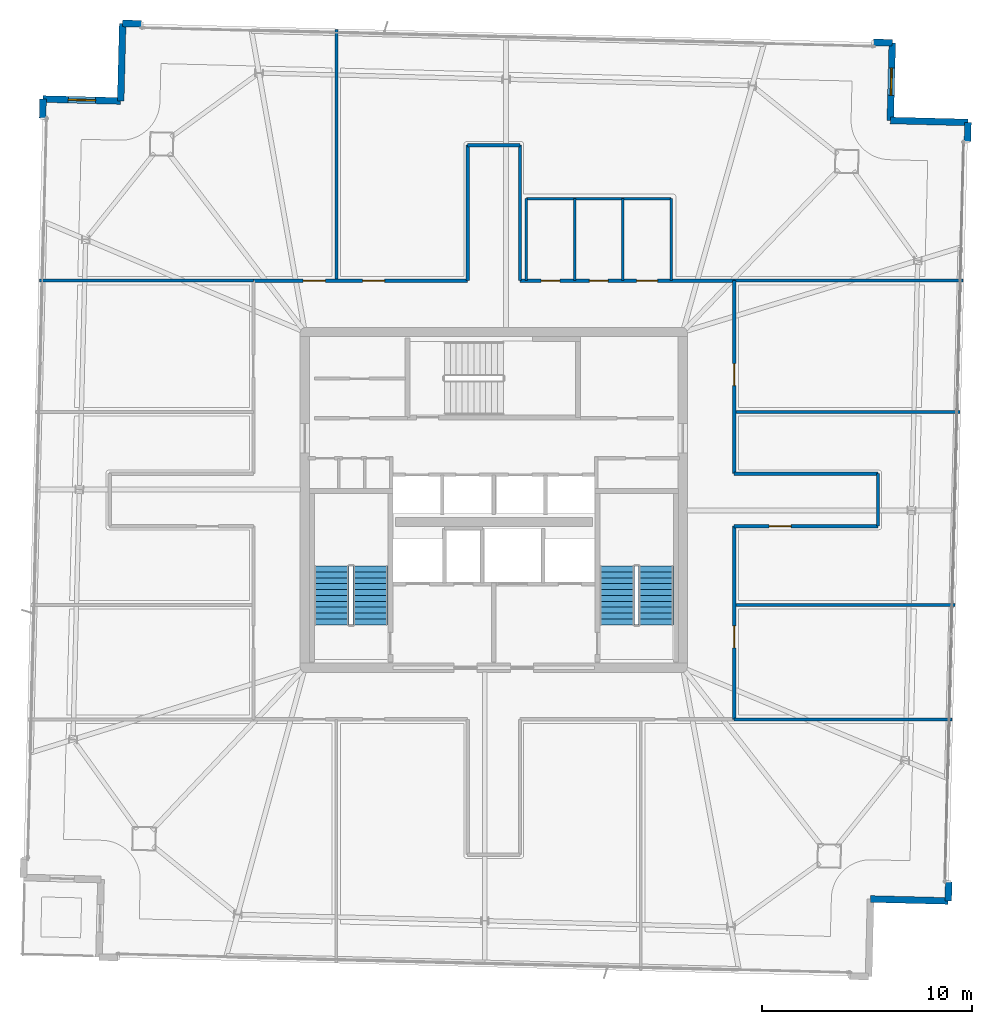
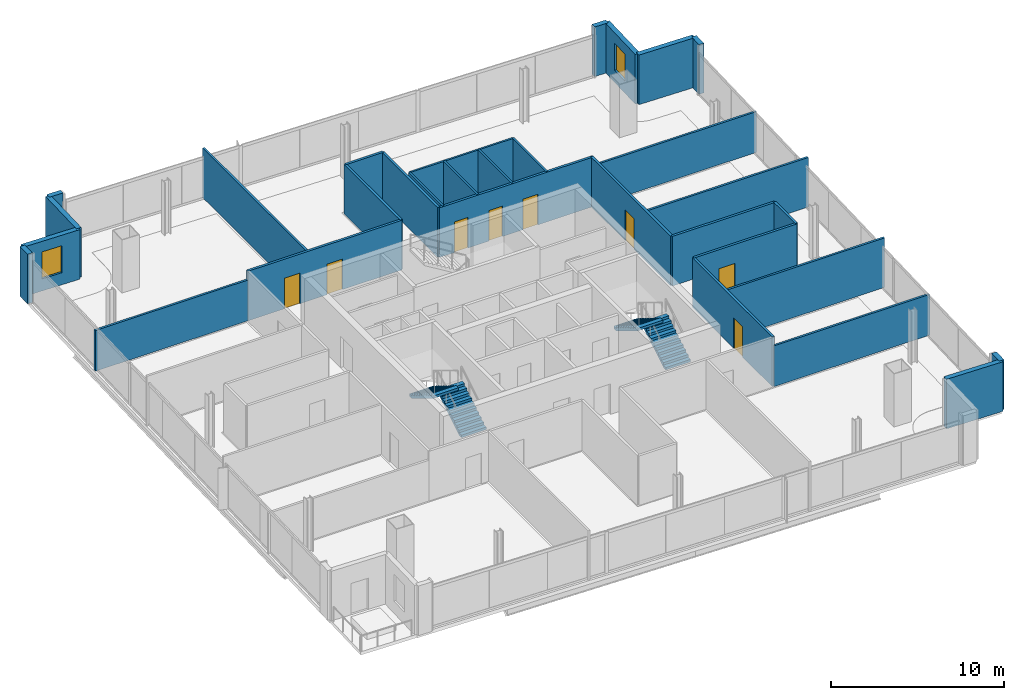
# One storey, part 21 of 25: 31 walls, 8 doors, 4 stair flights, 2 windows, 10 openings, 2 elements without a shape of their own.
"""IFC4 building model written with IfcOpenShell, lengths in metres."""

import ifcopenshell
import ifcopenshell.guid

model = None  # the IFC model being written
_history = None  # IfcOwnerHistory: only IFC2X3 demands one
_inside = {}  # id of a spatial element -> (the spatial element, [elements in it])
_under = {}  # id of a project, library or spatial element -> (it, [spatial elements below it])
_declared = {}  # id of a project -> (the project, [libraries it declares])
_typed = {}  # id of a type object -> (the type object, [elements of that type])
_made_of = {}  # id of a material, layer set ... -> (it, [elements and type objects made of it])


def new_model(schema):
    """Start an empty IFC model of exactly this schema.

    Asked for "IFC4X3", IfcOpenShell would pick the latest addendum, in which some entities
    have other attributes; the version numbers below select the first issue.
    IFC2X3 requires an IfcOwnerHistory on every rooted entity: one is made here for all.
    """
    global model, _history
    if schema == "IFC4X3":
        model = ifcopenshell.file(schema_version=(4, 3, 0, 0))
    else:
        model = ifcopenshell.file(schema=schema)
    _inside.clear()
    _under.clear()
    _declared.clear()
    _typed.clear()
    _made_of.clear()
    _history = None
    if model.schema == "IFC2X3":
        org = make("IfcOrganization", Name="unknown")
        user = make(
            "IfcPersonAndOrganization",
            ThePerson=make("IfcPerson", FamilyName="unknown"),
            TheOrganization=org,
        )
        app = make(
            "IfcApplication",
            ApplicationDeveloper=org,
            Version="unknown",
            ApplicationFullName="unknown",
            ApplicationIdentifier="unknown",
        )
        _history = make(
            "IfcOwnerHistory",
            OwningUser=user,
            OwningApplication=app,
            ChangeAction="ADDED",
            CreationDate=0,
        )
    return model


def make(cls, **values):
    """One entity of the class cls with the attributes given. An attribute that is None is left unset."""
    return model.create_entity(
        cls, **{name: value for name, value in values.items() if value is not None}
    )


def rooted(cls, **values):
    """An entity with a GlobalId (a new one), such as an element, a storey or a relation."""
    return make(cls, GlobalId=ifcopenshell.guid.new(), OwnerHistory=_history, **values)


def si_unit(unit_type, name, prefix=None):
    """IfcSIUnit, for example si_unit("LENGTHUNIT", "METRE", prefix="MILLI")."""
    return make("IfcSIUnit", UnitType=unit_type, Prefix=prefix, Name=name)


def assignment(units):
    """IfcUnitAssignment: the units of a project."""
    return None if units is None else make("IfcUnitAssignment", Units=units)


def point(xyz):
    """IfcCartesianPoint."""
    return None if xyz is None else make("IfcCartesianPoint", Coordinates=xyz)


def direction(xyz):
    """IfcDirection."""
    return None if xyz is None else make("IfcDirection", DirectionRatios=xyz)


def frame(location, z_axis=None, x_axis=None):
    """IfcAxis2Placement3D, a coordinate frame: its origin and axes. An axis left out is left unset."""
    return make(
        "IfcAxis2Placement3D",
        Location=point(location),
        Axis=direction(z_axis),
        RefDirection=direction(x_axis),
    )


def frame_2d(location, x_axis=None):
    """IfcAxis2Placement2D, a coordinate frame in the plane: its origin and x axis."""
    return make(
        "IfcAxis2Placement2D", Location=point(location), RefDirection=direction(x_axis)
    )


def origin():
    """The frame at (0, 0, 0) with its axes left unset."""
    return frame((0.0, 0.0, 0.0))


def place(relative_to, where):
    """IfcLocalPlacement: puts the frame where relative to a parent placement (None: the world)."""
    return make(
        "IfcLocalPlacement", PlacementRelTo=relative_to, RelativePlacement=where
    )


def context(
    kind, dimensions, precision=None, world=None, true_north=None, identifier=None
):
    """IfcGeometricRepresentationContext, for example the 3D "Model" context."""
    return make(
        "IfcGeometricRepresentationContext",
        ContextIdentifier=identifier,
        ContextType=kind,
        CoordinateSpaceDimension=dimensions,
        Precision=precision,
        WorldCoordinateSystem=world,
        TrueNorth=true_north,
    )


def subcontext(parent, identifier, kind, view, scale=None):
    """IfcGeometricRepresentationSubContext, for example "Body" below "Model"."""
    return make(
        "IfcGeometricRepresentationSubContext",
        ContextIdentifier=identifier,
        ContextType=kind,
        ParentContext=parent,
        TargetScale=scale,
        TargetView=view,
    )


def project(units=None, contexts=None):
    """IfcProject with its units and contexts."""
    return rooted(
        "IfcProject",
        Name="project",
        RepresentationContexts=contexts,
        UnitsInContext=assignment(units),
    )


def spatial(cls, under=None, at=None, **own):
    """A site, building, storey or space (cls), placed at a placement, below another one or the project."""
    s = rooted(cls, ObjectPlacement=at, **own)
    if under is not None:
        _under.setdefault(under.id(), (under, []))[1].append(s)
    return s


def polyline(points):
    """IfcPolyline through the points."""
    return make("IfcPolyline", Points=[point(p) for p in points])


def profile(cls, at=None, kind="AREA", **sizes):
    """A parametric profile (cls). Its sizes go by their IFC names, for example OverallWidth=200.0."""
    return make(cls, ProfileType=kind, Position=at, **sizes)


def rectangle(**sizes):
    """IfcRectangleProfileDef."""
    return profile("IfcRectangleProfileDef", **sizes)


def outline(outer, holes=None, kind="AREA"):
    """IfcArbitraryClosedProfileDef: a profile drawn as a closed curve; with holes, ...WithVoids."""
    if holes is None:
        return make("IfcArbitraryClosedProfileDef", ProfileType=kind, OuterCurve=outer)
    return make(
        "IfcArbitraryProfileDefWithVoids",
        ProfileType=kind,
        OuterCurve=outer,
        InnerCurves=holes,
    )


def extrude(swept, where, along, depth):
    """IfcExtrudedAreaSolid: the profile swept, set in the frame where, extruded along a direction by depth."""
    return make(
        "IfcExtrudedAreaSolid",
        SweptArea=swept,
        Position=where,
        ExtrudedDirection=direction(along),
        Depth=depth,
    )


def shape(context_of_items, identifier, shape_type, items):
    """IfcShapeRepresentation: the items that make up one representation, for example the "Body"."""
    return make(
        "IfcShapeRepresentation",
        ContextOfItems=context_of_items,
        RepresentationIdentifier=identifier,
        RepresentationType=shape_type,
        Items=items,
    )


def material(Name=None, Category=None):
    """IfcMaterial."""
    return make("IfcMaterial", Name=Name, Category=Category)


def layer(
    of_material, thickness, ventilated=None, Name=None, Category=None, Priority=None
):
    """IfcMaterialLayer: one layer of a wall or slab, of a material (None: an air gap)."""
    return make(
        "IfcMaterialLayer",
        Material=of_material,
        LayerThickness=thickness,
        IsVentilated=ventilated,
        Name=Name,
        Category=Category,
        Priority=Priority,
    )


def layer_set(layers, Name=None):
    """IfcMaterialLayerSet."""
    return make("IfcMaterialLayerSet", MaterialLayers=layers, LayerSetName=Name)


def made_of(thing, what):
    """Note that an element or type object is made of a material, layer set ...; save() writes the relation."""
    if what is not None:
        _made_of.setdefault(what.id(), (what, []))[1].append(thing)
    return thing


def type_object(cls, material=None, **own):
    """A type object (cls), such as IfcWallType, which elements share."""
    return made_of(rooted(cls, **own), material)


def element(
    cls,
    number,
    at=None,
    inside=None,
    cuts=None,
    type_object=None,
    material=None,
    context=None,
    identifier="Body",
    shape_type=None,
    held_by="IfcProductDefinitionShape",
    body=None,
    shapes=None,
    **own,
):
    """One element of the class cls, such as IfcWall. Its Tag is "e" and its number.

    at: its placement. inside: the storey or other place that contains it. cuts: it is an
    opening in that element (IfcRelVoidsElement). A single representation is given by context,
    identifier, shape_type and body (its items); several are given by shapes. held_by: the class
    of the entity that holds the representations. save() writes the other relations.
    """
    e = rooted(cls, Tag="e%d" % number, ObjectPlacement=at, **own)
    if body is not None:
        shapes = [shape(context, identifier, shape_type, body)]
    if shapes is not None:
        e.Representation = make(held_by, Representations=shapes)
    if inside is not None:
        _inside.setdefault(inside.id(), (inside, []))[1].append(e)
    if cuts is not None:
        rooted(
            "IfcRelVoidsElement", RelatingBuildingElement=cuts, RelatedOpeningElement=e
        )
    if type_object is not None:
        _typed.setdefault(type_object.id(), (type_object, []))[1].append(e)
    return made_of(e, material)


def fill(opening, filler):
    """IfcRelFillsElement: the door or window that sits in an opening."""
    return rooted(
        "IfcRelFillsElement",
        RelatingOpeningElement=opening,
        RelatedBuildingElement=filler,
    )


def aggregate(whole, parts):
    """IfcRelAggregates: a whole, such as a stair, and the parts it consists of."""
    return rooted("IfcRelAggregates", RelatingObject=whole, RelatedObjects=parts)


def save(model, path):
    """Write the relations noted so far, then the file.

    IfcRelAggregates (storeys below a building ...), IfcRelContainedInSpatialStructure (elements
    in a storey), IfcRelDefinesByType, IfcRelAssociatesMaterial and IfcRelDeclares: one each for
    every whole, place, type object, material and project.
    """
    for whole, parts in _under.values():
        aggregate(whole, parts)
    for where, things in _inside.values():
        rooted(
            "IfcRelContainedInSpatialStructure",
            RelatedElements=things,
            RelatingStructure=where,
        )
    for kind, things in _typed.values():
        rooted("IfcRelDefinesByType", RelatedObjects=things, RelatingType=kind)
    for what, things in _made_of.values():
        rooted("IfcRelAssociatesMaterial", RelatedObjects=things, RelatingMaterial=what)
    for by, libraries in _declared.values():
        rooted("IfcRelDeclares", RelatingContext=by, RelatedDefinitions=libraries)
    model.write(path)


model = new_model("IFC4")

# Units and contexts
model_context = context("Model", 3, precision=1e-05, world=origin(), true_north=direction((0.0, 1.0)))
body_context = subcontext(model_context, "Body", "Model", "MODEL_VIEW")
ifc_project = project(units=[si_unit("LENGTHUNIT", "METRE"), si_unit("AREAUNIT", "SQUARE_METRE"), si_unit("VOLUMEUNIT", "CUBIC_METRE"), si_unit("PLANEANGLEUNIT", "RADIAN"), si_unit("MASSUNIT", "GRAM", prefix="KILO")], contexts=[model_context])

# Site, building, storey
site_placement = place(None, origin())
site = spatial("IfcSite", under=ifc_project, at=site_placement, CompositionType="ELEMENT")
building_placement = place(site_placement, origin())
building = spatial("IfcBuilding", under=site, at=building_placement, Name="Haldenkirk Collegiate Tower", CompositionType="ELEMENT")
storey_placement = place(building_placement, frame((0.0, 0.0, 325.199951171875)))
storey = spatial("IfcBuildingStorey", under=building, at=storey_placement, Name="L82", CompositionType="ELEMENT", Elevation=325.199951171875)

# Walls
ifc_material_1 = material(Name="Precast concrete f'c 40 MPa", Category="concrete")
ifc_layer_1 = layer(ifc_material_1, 0.320068359375)
ifc_layer_set_1 = layer_set([ifc_layer_1], Name="Precast concrete f'c 40 MPa")
wall_type_1 = type_object("IfcWallType", Name="WL-EXT-TWR-320", PredefinedType="STANDARD", material=ifc_layer_set_1)
wall_1_placement = place(storey_placement, frame((58.58740234375, 43.984130859375, 0.0), z_axis=(0.0, 0.0, 1.0), x_axis=(-0.025500524294, -0.999674808756, 0.0)))
element("IfcWall", 1, at=wall_1_placement, inside=storey, type_object=wall_type_1, Name="L82 precast corner pier SL", PredefinedType="STANDARD", context=body_context, shape_type="SweptSolid", body=[
    extrude(rectangle(XDim=0.89990234375, YDim=0.320068359375, at=frame_2d((0.449951171875, 0.0))), origin(), (0.0, 0.0, 1.0), 3.489990234375),
])
wall_2_placement = place(storey_placement, frame((57.67138671875, 7.7958984375, 0.0), z_axis=(0.0, 0.0, 1.0), x_axis=(-0.02549361058, -0.999674985092, 0.0)))
element("IfcWall", 2, at=wall_2_placement, inside=storey, type_object=wall_type_1, Name="L82 precast corner pier SR", PredefinedType="STANDARD", context=body_context, shape_type="SweptSolid", body=[
    extrude(rectangle(XDim=0.900146484375, YDim=0.320068359375, at=frame_2d((0.4501953125, 0.0))), origin(), (0.0, 0.0, 1.0), 3.489990234375),
])
wall_3_placement = place(storey_placement, frame((54.888427734375, 44.077880859375, 0.0), z_axis=(0.0, 0.0, 1.0), x_axis=(0.999678973645, -0.025336725357, 0.0)))
element("IfcWall", 3, at=wall_3_placement, inside=storey, type_object=wall_type_1, Name="L82 bronze precast notch wall 02", PredefinedType="STANDARD", context=body_context, shape_type="SweptSolid", body=[
    extrude(rectangle(XDim=3.7001953125, YDim=0.320068359375, at=frame_2d((1.85009765625, 0.0))), origin(), (0.0, 0.0, 1.0), 3.489990234375),
])

# Wall, opening, window
wall_4_placement = place(storey_placement, frame((54.982177734375, 47.776611328125, 0.0), z_axis=(0.0, 0.0, 1.0), x_axis=(-0.025338396674, -0.999678931284, 0.0)))
wall_4 = element("IfcWall", 4, at=wall_4_placement, inside=storey, type_object=wall_type_1, Name="L82 bronze precast notch wall 03", PredefinedType="STANDARD", context=body_context, shape_type="SweptSolid", body=[
    extrude(rectangle(XDim=3.699951171875, YDim=0.320068359375, at=frame_2d((1.85009765625, 0.0))), origin(), (0.0, 0.0, 1.0), 3.489990234375),
])
opening_1_placement = place(wall_4_placement, frame((1.199951171875, 0.0, 0.85009765625)))
opening_1 = element("IfcOpeningElement", 5, at=opening_1_placement, cuts=wall_4, Name="Opening W-08", PredefinedType="OPENING", context=body_context, shape_type="SweptSolid", body=[
    extrude(rectangle(XDim=1.300048828125, YDim=1.89990234375, at=frame_2d((0.64990234375, 0.949951171875))), frame((0.0, 0.169921875, 0.0), z_axis=(0.0, -1.0, 0.0), x_axis=(1.0, 0.0, 0.0)), (0.0, 0.0, 1.0), 0.340087890625),
])
ifc_material_2 = material(Name="Low-E argon triple insulating glass", Category="glass")
ifc_layer_2 = layer(ifc_material_2, 0.090087890625)
ifc_layer_set_2 = layer_set([ifc_layer_2], Name="Low-E argon triple insulating glass")
window_type = type_object("IfcWindowType", Name="WN-Z6-1300X1900", PartitioningType="SINGLE_PANEL", PredefinedType="WINDOW", material=ifc_layer_set_2)
window_1_placement = place(opening_1_placement, origin())
window_1 = element("IfcWindow", 6, at=window_1_placement, inside=storey, type_object=window_type, Name="L82 precast-frame academic window 2", OverallHeight=1.89990234375, OverallWidth=1.300048828125, PartitioningType="SINGLE_PANEL", PredefinedType="WINDOW", context=body_context, shape_type="SweptSolid", body=[
    extrude(rectangle(XDim=1.300048828125, YDim=1.89990234375, at=frame_2d((0.64990234375, 0.949951171875))), frame((0.0, 0.030029296875, 0.0), z_axis=(0.0, -1.0, 0.0), x_axis=(1.0, 0.0, 0.0)), (0.0, 0.0, 1.0), 0.06005859375),
])
fill(opening_1, window_1)

# Walls
for number, where, z_axis, x_axis, name in (
    (7, (18.31884765625, 48.70458984375, 0.0), (0.0, 0.0, 1.0), (0.99968168763, -0.025229415726, 0.0), "L82 precast corner pier EL"),
    (8, (54.08251953125, 47.79931640625, 0.0), (0.0, 0.0, 1.0), (0.99968168763, -0.025229415726, 0.0), "L82 precast corner pier ER"),
):
    element("IfcWall", number, at=place(storey_placement, frame(where, z_axis=z_axis, x_axis=x_axis)), inside=storey, type_object=wall_type_1, Name=name, PredefinedType="STANDARD", context=body_context, shape_type="SweptSolid", body=[
        extrude(rectangle(XDim=0.89990234375, YDim=0.320068359375, at=frame_2d((0.449951171875, 0.0))), origin(), (0.0, 0.0, 1.0), 3.489990234375),
    ])
wall_5_placement = place(storey_placement, frame((18.22509765625, 45.005859375, 0.0), z_axis=(0.0, 0.0, 1.0), x_axis=(0.025338396674, 0.999678931284, 0.0)))
element("IfcWall", 9, at=wall_5_placement, inside=storey, type_object=wall_type_1, Name="L82 bronze precast notch wall 05", PredefinedType="STANDARD", context=body_context, shape_type="SweptSolid", body=[
    extrude(rectangle(XDim=3.699951171875, YDim=0.320068359375, at=frame_2d((1.85009765625, 0.0))), origin(), (0.0, 0.0, 1.0), 3.489990234375),
])

# Wall, opening, window
wall_6_placement = place(storey_placement, frame((14.5263671875, 45.099609375, 0.0), z_axis=(0.0, 0.0, 1.0), x_axis=(0.999678931284, -0.025338396674, 0.0)))
wall_6 = element("IfcWall", 10, at=wall_6_placement, inside=storey, type_object=wall_type_1, Name="L82 bronze precast notch wall 06", PredefinedType="STANDARD", context=body_context, shape_type="SweptSolid", body=[
    extrude(rectangle(XDim=3.699951171875, YDim=0.320068359375, at=frame_2d((1.85009765625, 0.0))), origin(), (0.0, 0.0, 1.0), 3.489990234375),
])
opening_2_placement = place(wall_6_placement, frame((1.199951171875, 0.0, 0.85009765625)))
opening_2 = element("IfcOpeningElement", 11, at=opening_2_placement, cuts=wall_6, Name="Opening W-08", PredefinedType="OPENING", context=body_context, shape_type="SweptSolid", body=[
    extrude(rectangle(XDim=1.300048828125, YDim=1.89990234375, at=frame_2d((0.64990234375, 0.949951171875))), frame((0.0, 0.169921875, 0.0), z_axis=(0.0, -1.0, 0.0), x_axis=(1.0, 0.0, 0.0)), (0.0, 0.0, 1.0), 0.340087890625),
])
window_2_placement = place(opening_2_placement, origin())
window_2 = element("IfcWindow", 12, at=window_2_placement, inside=storey, type_object=window_type, Name="L82 precast-frame academic window 5", OverallHeight=1.89990234375, OverallWidth=1.300048828125, PartitioningType="SINGLE_PANEL", PredefinedType="WINDOW", context=body_context, shape_type="SweptSolid", body=[
    extrude(rectangle(XDim=1.300048828125, YDim=1.89990234375, at=frame_2d((0.64990234375, 0.949951171875))), frame((0.0, 0.030029296875, 0.0), z_axis=(0.0, -1.0, 0.0), x_axis=(1.0, 0.0, 0.0)), (0.0, 0.0, 1.0), 0.06005859375),
])
fill(opening_2, window_2)

# Walls
wall_7_placement = place(storey_placement, frame((14.503662109375, 44.19970703125, 0.0), z_axis=(0.0, 0.0, 1.0), x_axis=(0.025222575421, 0.999681860238, 0.0)))
element("IfcWall", 13, at=wall_7_placement, inside=storey, type_object=wall_type_1, Name="L82 precast corner pier NR", PredefinedType="STANDARD", context=body_context, shape_type="SweptSolid", body=[
    extrude(rectangle(XDim=0.900146484375, YDim=0.320068359375, at=frame_2d((0.4501953125, 0.0))), origin(), (0.0, 0.0, 1.0), 3.489990234375),
])
wall_8_placement = place(storey_placement, frame((57.6484375, 6.89599609375, 0.0), z_axis=(0.0, 0.0, 1.0), x_axis=(-0.999678931284, 0.025338396674, 0.0)))
element("IfcWall", 14, at=wall_8_placement, inside=storey, type_object=wall_type_1, Name="L82 bronze precast notch wall 12", PredefinedType="STANDARD", context=body_context, shape_type="SweptSolid", body=[
    extrude(rectangle(XDim=3.699951171875, YDim=0.320068359375, at=frame_2d((1.85009765625, 0.0))), origin(), (0.0, 0.0, 1.0), 3.489990234375),
])

# Wall, openings, doors
ifc_material_3 = material(Name="Acoustic fire-rated gypsum partition", Category="concrete")
ifc_layer_3 = layer(ifc_material_3, 0.159912109375)
ifc_layer_set_3 = layer_set([ifc_layer_3], Name="Acoustic fire-rated gypsum partition")
wall_type_2 = type_object("IfcWallType", Name="WL-INT-CORR-160", PredefinedType="PARTITIONING", material=ifc_layer_set_3)
wall_9_placement = place(storey_placement, frame((24.5, 36.449951171875, 0.0), z_axis=(0.0, 0.0, 1.0), x_axis=(1.0, 0.0, 0.0)))
wall_9 = element("IfcWall", 15, at=wall_9_placement, inside=storey, type_object=wall_type_2, Name="L82 interior partition IW-L82-CN1", PredefinedType="PARTITIONING", context=body_context, shape_type="SweptSolid", body=[
    extrude(rectangle(XDim=10.25, YDim=0.159912109375, at=frame_2d((5.125, 0.0))), origin(), (0.0, 0.0, 1.0), 3.489990234375),
])
opening_3_placement = place(wall_9_placement, frame((2.4208984375, 0.0, 0.0)))
opening_3 = element("IfcOpeningElement", 16, at=opening_3_placement, cuts=wall_9, Name="Opening D-09", PredefinedType="OPENING", context=body_context, shape_type="SweptSolid", body=[
    extrude(rectangle(XDim=1.050048828125, YDim=2.14990234375, at=frame_2d((0.52490234375, 1.074951171875))), frame((0.0, 0.08984375, 0.0), z_axis=(0.0, -1.0, 0.0), x_axis=(1.0, 0.0, 0.0)), (0.0, 0.0, 1.0), 0.179931640625),
])
opening_4_placement = place(wall_9_placement, frame((5.2490234375, 0.0, 0.0)))
opening_4 = element("IfcOpeningElement", 17, at=opening_4_placement, cuts=wall_9, Name="Opening D-09", PredefinedType="OPENING", context=body_context, shape_type="SweptSolid", body=[
    extrude(rectangle(XDim=1.050048828125, YDim=2.14990234375, at=frame_2d((0.52490234375, 1.074951171875))), frame((0.0, 0.08984375, 0.0), z_axis=(0.0, -1.0, 0.0), x_axis=(1.0, 0.0, 0.0)), (0.0, 0.0, 1.0), 0.179931640625),
])
ifc_material_4 = material(Name="Solid-core architectural oak fire door", Category="wood")
ifc_layer_4 = layer(ifc_material_4, 0.06005859375)
ifc_layer_set_4 = layer_set([ifc_layer_4], Name="Solid-core architectural oak fire door")
door_type_1 = type_object("IfcDoorType", Name="DR-INT-FD60-1050", OperationType="NOTDEFINED", PredefinedType="DOOR", material=ifc_layer_set_4)
door_1_placement = place(opening_3_placement, origin())
door_1 = element("IfcDoor", 18, at=door_1_placement, inside=storey, type_object=door_type_1, Name="L82 Departmental Office 4 door", OperationType="SINGLE_SWING_LEFT", OverallHeight=2.14990234375, OverallWidth=1.050048828125, PredefinedType="DOOR", context=body_context, shape_type="SweptSolid", body=[
    extrude(rectangle(XDim=1.050048828125, YDim=2.14990234375, at=frame_2d((0.52490234375, 1.074951171875))), frame((0.0, 0.02490234375, 0.0), z_axis=(0.0, -1.0, 0.0), x_axis=(1.0, 0.0, 0.0)), (0.0, 0.0, 1.0), 0.050048828125),
])
fill(opening_3, door_1)
door_2_placement = place(opening_4_placement, origin())
door_2 = element("IfcDoor", 19, at=door_2_placement, inside=storey, type_object=door_type_1, Name="L82 Visiting Scholar Office 5 door", OperationType="SINGLE_SWING_RIGHT", OverallHeight=2.14990234375, OverallWidth=1.050048828125, PredefinedType="DOOR", context=body_context, shape_type="SweptSolid", body=[
    extrude(rectangle(XDim=1.050048828125, YDim=2.14990234375, at=frame_2d((0.52490234375, 1.074951171875))), frame((0.0, 0.02490234375, 0.0), z_axis=(0.0, -1.0, 0.0), x_axis=(1.0, 0.0, 0.0)), (0.0, 0.0, 1.0), 0.050048828125),
])
fill(opening_4, door_2)

wall_10_placement = place(storey_placement, frame((37.25, 36.449951171875, 0.0), z_axis=(0.0, 0.0, 1.0), x_axis=(1.0, 0.0, 0.0)))
wall_10 = element("IfcWall", 20, at=wall_10_placement, inside=storey, type_object=wall_type_2, Name="L82 interior partition IW-L82-CN2", PredefinedType="PARTITIONING", context=body_context, shape_type="SweptSolid", body=[
    extrude(rectangle(XDim=10.25, YDim=0.159912109375, at=frame_2d((5.125, 0.0))), origin(), (0.0, 0.0, 1.0), 3.489990234375),
])
opening_5_placement = place(wall_10_placement, frame((1.0, 0.0, 0.0)))
opening_5 = element("IfcOpeningElement", 21, at=opening_5_placement, cuts=wall_10, Name="Opening D-13", PredefinedType="OPENING", context=body_context, shape_type="SweptSolid", body=[
    extrude(rectangle(XDim=0.89990234375, YDim=2.14990234375, at=frame_2d((0.449951171875, 1.074951171875))), frame((0.0, 0.08984375, 0.0), z_axis=(0.0, -1.0, 0.0), x_axis=(1.0, 0.0, 0.0)), (0.0, 0.0, 1.0), 0.179931640625),
])
opening_6_placement = place(wall_10_placement, frame((3.300048828125, 0.0, 0.0)))
opening_6 = element("IfcOpeningElement", 22, at=opening_6_placement, cuts=wall_10, Name="Opening D-13", PredefinedType="OPENING", context=body_context, shape_type="SweptSolid", body=[
    extrude(rectangle(XDim=0.89990234375, YDim=2.14990234375, at=frame_2d((0.449951171875, 1.074951171875))), frame((0.0, 0.08984375, 0.0), z_axis=(0.0, -1.0, 0.0), x_axis=(1.0, 0.0, 0.0)), (0.0, 0.0, 1.0), 0.179931640625),
])
opening_7_placement = place(wall_10_placement, frame((5.550048828125, 0.0, 0.0)))
opening_7 = element("IfcOpeningElement", 23, at=opening_7_placement, cuts=wall_10, Name="Opening D-14", PredefinedType="OPENING", context=body_context, shape_type="SweptSolid", body=[
    extrude(rectangle(XDim=1.0, YDim=2.14990234375, at=frame_2d((0.5, 1.074951171875))), frame((0.0, 0.08984375, 0.0), z_axis=(0.0, -1.0, 0.0), x_axis=(1.0, 0.0, 0.0)), (0.0, 0.0, 1.0), 0.179931640625),
])
ifc_layer_5 = layer(ifc_material_4, 0.06005859375)
ifc_layer_set_5 = layer_set([ifc_layer_5], Name="Solid-core architectural oak fire door")
door_type_2 = type_object("IfcDoorType", Name="DR-INT-ACC-1000", OperationType="NOTDEFINED", PredefinedType="DOOR", material=ifc_layer_set_5)
door_3_placement = place(opening_7_placement, origin())
door_3 = element("IfcDoor", 24, at=door_3_placement, inside=storey, type_object=door_type_2, Name="L82 Accessible WC door", OperationType="SINGLE_SWING_LEFT", OverallHeight=2.14990234375, OverallWidth=1.0, PredefinedType="DOOR", context=body_context, shape_type="SweptSolid", body=[
    extrude(rectangle(XDim=1.0, YDim=2.14990234375, at=frame_2d((0.5, 1.074951171875))), frame((0.0, 0.02490234375, 0.0), z_axis=(0.0, -1.0, 0.0), x_axis=(1.0, 0.0, 0.0)), (0.0, 0.0, 1.0), 0.050048828125),
])
fill(opening_7, door_3)
ifc_layer_6 = layer(ifc_material_4, 0.06005859375)
ifc_layer_set_6 = layer_set([ifc_layer_6], Name="Solid-core architectural oak fire door")
door_type_3 = type_object("IfcDoorType", Name="DR-INT-STD-900", OperationType="NOTDEFINED", PredefinedType="DOOR", material=ifc_layer_set_6)
door_4_placement = place(opening_5_placement, origin())
door_4 = element("IfcDoor", 25, at=door_4_placement, inside=storey, type_object=door_type_3, Name="L82 Male WC door", OperationType="SINGLE_SWING_LEFT", OverallHeight=2.14990234375, OverallWidth=0.89990234375, PredefinedType="DOOR", context=body_context, shape_type="SweptSolid", body=[
    extrude(rectangle(XDim=0.89990234375, YDim=2.14990234375, at=frame_2d((0.449951171875, 1.074951171875))), frame((0.0, 0.02490234375, 0.0), z_axis=(0.0, -1.0, 0.0), x_axis=(1.0, 0.0, 0.0)), (0.0, 0.0, 1.0), 0.050048828125),
])
fill(opening_5, door_4)
door_5_placement = place(opening_6_placement, origin())
door_5 = element("IfcDoor", 26, at=door_5_placement, inside=storey, type_object=door_type_3, Name="L82 Female WC door", OperationType="SINGLE_SWING_RIGHT", OverallHeight=2.14990234375, OverallWidth=0.89990234375, PredefinedType="DOOR", context=body_context, shape_type="SweptSolid", body=[
    extrude(rectangle(XDim=0.89990234375, YDim=2.14990234375, at=frame_2d((0.449951171875, 1.074951171875))), frame((0.0, 0.02490234375, 0.0), z_axis=(0.0, -1.0, 0.0), x_axis=(1.0, 0.0, 0.0)), (0.0, 0.0, 1.0), 0.050048828125),
])
fill(opening_6, door_5)

# Wall, opening, door
wall_11_placement = place(storey_placement, frame((47.449951171875, 15.550048828125, 0.0), z_axis=(0.0, 0.0, 1.0), x_axis=(0.0, 1.0, 0.0)))
wall_11 = element("IfcWall", 27, at=wall_11_placement, inside=storey, type_object=wall_type_2, Name="L82 interior partition IW-L82-CE1", PredefinedType="PARTITIONING", context=body_context, shape_type="SweptSolid", body=[
    extrude(rectangle(XDim=9.199951171875, YDim=0.159912109375, at=frame_2d((4.60009765625, 0.0))), origin(), (0.0, 0.0, 1.0), 3.489990234375),
])
opening_8_placement = place(wall_11_placement, frame((3.406982421875, 0.0, 0.0)))
opening_8 = element("IfcOpeningElement", 28, at=opening_8_placement, cuts=wall_11, Name="Opening D-09", PredefinedType="OPENING", context=body_context, shape_type="SweptSolid", body=[
    extrude(rectangle(XDim=1.050048828125, YDim=2.14990234375, at=frame_2d((0.52490234375, 1.074951171875))), frame((0.0, 0.08984375, 0.0), z_axis=(0.0, -1.0, 0.0), x_axis=(1.0, 0.0, 0.0)), (0.0, 0.0, 1.0), 0.179931640625),
])
door_6_placement = place(opening_8_placement, origin())
door_6 = element("IfcDoor", 29, at=door_6_placement, inside=storey, type_object=door_type_1, Name="L82 Research Office 9 door", OperationType="SINGLE_SWING_RIGHT", OverallHeight=2.14990234375, OverallWidth=1.050048828125, PredefinedType="DOOR", context=body_context, shape_type="SweptSolid", body=[
    extrude(rectangle(XDim=1.050048828125, YDim=2.14990234375, at=frame_2d((0.52490234375, 1.074951171875))), frame((0.0, 0.02490234375, 0.0), z_axis=(0.0, -1.0, 0.0), x_axis=(1.0, 0.0, 0.0)), (0.0, 0.0, 1.0), 0.050048828125),
])
fill(opening_8, door_6)

wall_12_placement = place(storey_placement, frame((47.449951171875, 27.25, 0.0), z_axis=(0.0, 0.0, 1.0), x_axis=(0.0, 1.0, 0.0)))
wall_12 = element("IfcWall", 30, at=wall_12_placement, inside=storey, type_object=wall_type_2, Name="L82 interior partition IW-L82-CE2", PredefinedType="PARTITIONING", context=body_context, shape_type="SweptSolid", body=[
    extrude(rectangle(XDim=9.199951171875, YDim=0.159912109375, at=frame_2d((4.60009765625, 0.0))), origin(), (0.0, 0.0, 1.0), 3.489990234375),
])
opening_9_placement = place(wall_12_placement, frame((4.198974609375, 0.0, 0.0)))
opening_9 = element("IfcOpeningElement", 31, at=opening_9_placement, cuts=wall_12, Name="Opening D-09", PredefinedType="OPENING", context=body_context, shape_type="SweptSolid", body=[
    extrude(rectangle(XDim=1.050048828125, YDim=2.14990234375, at=frame_2d((0.52490234375, 1.074951171875))), frame((0.0, 0.08984375, 0.0), z_axis=(0.0, -1.0, 0.0), x_axis=(1.0, 0.0, 0.0)), (0.0, 0.0, 1.0), 0.179931640625),
])
door_7_placement = place(opening_9_placement, origin())
door_7 = element("IfcDoor", 32, at=door_7_placement, inside=storey, type_object=door_type_1, Name="L82 Visiting Scholar Office 11 door", OperationType="SINGLE_SWING_RIGHT", OverallHeight=2.14990234375, OverallWidth=1.050048828125, PredefinedType="DOOR", context=body_context, shape_type="SweptSolid", body=[
    extrude(rectangle(XDim=1.050048828125, YDim=2.14990234375, at=frame_2d((0.52490234375, 1.074951171875))), frame((0.0, 0.02490234375, 0.0), z_axis=(0.0, -1.0, 0.0), x_axis=(1.0, 0.0, 0.0)), (0.0, 0.0, 1.0), 0.050048828125),
])
fill(opening_9, door_7)

# Walls
for number, where, z_axis, x_axis, name in (
    (33, (34.75, 36.449951171875, 0.0), (0.0, 0.0, 1.0), (0.0, 1.0, 0.0), "L82 interior partition IW-L82-NPW"),
    (34, (37.25, 36.449951171875, 0.0), (0.0, 0.0, 1.0), (0.0, 1.0, 0.0), "L82 interior partition IW-L82-NPE"),
):
    element("IfcWall", number, at=place(storey_placement, frame(where, z_axis=z_axis, x_axis=x_axis)), inside=storey, type_object=wall_type_2, Name=name, PredefinedType="PARTITIONING", context=body_context, shape_type="SweptSolid", body=[
        extrude(rectangle(XDim=6.449951171875, YDim=0.159912109375, at=frame_2d((3.22509765625, 0.0))), origin(), (0.0, 0.0, 1.0), 3.489990234375),
    ])
wall_13_placement = place(storey_placement, frame((34.75, 42.89990234375, 0.0), z_axis=(0.0, 0.0, 1.0), x_axis=(1.0, 0.0, 0.0)))
element("IfcWall", 35, at=wall_13_placement, inside=storey, type_object=wall_type_2, Name="L82 interior partition IW-L82-NPN", PredefinedType="PARTITIONING", context=body_context, shape_type="SweptSolid", body=[
    extrude(rectangle(XDim=2.5, YDim=0.159912109375, at=frame_2d((1.25, 0.0))), origin(), (0.0, 0.0, 1.0), 3.489990234375),
])

# Wall, opening, door
wall_14_placement = place(storey_placement, frame((47.449951171875, 24.75, 0.0), z_axis=(0.0, 0.0, 1.0), x_axis=(1.0, 0.0, 0.0)))
wall_14 = element("IfcWall", 36, at=wall_14_placement, inside=storey, type_object=wall_type_2, Name="L82 interior partition IW-L82-EPS", PredefinedType="PARTITIONING", context=body_context, shape_type="SweptSolid", body=[
    extrude(rectangle(XDim=6.85009765625, YDim=0.159912109375, at=frame_2d((3.425048828125, 0.0))), origin(), (0.0, 0.0, 1.0), 3.489990234375),
])
opening_10_placement = place(wall_14_placement, frame((1.6669921875, 0.0, 0.0)))
opening_10 = element("IfcOpeningElement", 37, at=opening_10_placement, cuts=wall_14, Name="Opening D-09", PredefinedType="OPENING", context=body_context, shape_type="SweptSolid", body=[
    extrude(rectangle(XDim=1.050048828125, YDim=2.14990234375, at=frame_2d((0.52490234375, 1.074951171875))), frame((0.0, 0.08984375, 0.0), z_axis=(0.0, -1.0, 0.0), x_axis=(1.0, 0.0, 0.0)), (0.0, 0.0, 1.0), 0.179931640625),
])
door_8_placement = place(opening_10_placement, origin())
door_8 = element("IfcDoor", 38, at=door_8_placement, inside=storey, type_object=door_type_1, Name="L82 Departmental Office 10 door", OperationType="SINGLE_SWING_LEFT", OverallHeight=2.14990234375, OverallWidth=1.050048828125, PredefinedType="DOOR", context=body_context, shape_type="SweptSolid", body=[
    extrude(rectangle(XDim=1.050048828125, YDim=2.14990234375, at=frame_2d((0.52490234375, 1.074951171875))), frame((0.0, 0.02490234375, 0.0), z_axis=(0.0, -1.0, 0.0), x_axis=(1.0, 0.0, 0.0)), (0.0, 0.0, 1.0), 0.050048828125),
])
fill(opening_10, door_8)

# Walls
wall_15_placement = place(storey_placement, frame((47.449951171875, 27.25, 0.0), z_axis=(0.0, 0.0, 1.0), x_axis=(1.0, 0.0, 0.0)))
element("IfcWall", 39, at=wall_15_placement, inside=storey, type_object=wall_type_2, Name="L82 interior partition IW-L82-EPN", PredefinedType="PARTITIONING", context=body_context, shape_type="SweptSolid", body=[
    extrude(rectangle(XDim=6.85009765625, YDim=0.159912109375, at=frame_2d((3.425048828125, 0.0))), origin(), (0.0, 0.0, 1.0), 3.489990234375),
])
wall_16_placement = place(storey_placement, frame((54.300048828125, 24.75, 0.0), z_axis=(0.0, 0.0, 1.0), x_axis=(0.0, 1.0, 0.0)))
element("IfcWall", 40, at=wall_16_placement, inside=storey, type_object=wall_type_2, Name="L82 interior partition IW-L82-EPE", PredefinedType="PARTITIONING", context=body_context, shape_type="SweptSolid", body=[
    extrude(rectangle(XDim=2.5, YDim=0.159912109375, at=frame_2d((1.25, 0.0))), origin(), (0.0, 0.0, 1.0), 3.489990234375),
])
ifc_layer_7 = layer(ifc_material_3, 0.139892578125)
ifc_layer_set_7 = layer_set([ifc_layer_7], Name="Acoustic fire-rated gypsum partition")
wall_type_3 = type_object("IfcWallType", Name="WL-INT-DIV-140", PredefinedType="PARTITIONING", material=ifc_layer_set_7)
wall_17_placement = place(storey_placement, frame((14.347412109375, 36.449951171875, 0.0), z_axis=(0.0, 0.0, 1.0), x_axis=(1.0, 0.0, 0.0)))
element("IfcWall", 41, at=wall_17_placement, inside=storey, type_object=wall_type_3, Name="L82 interior partition IW-L82-BWN", PredefinedType="PARTITIONING", context=body_context, shape_type="SweptSolid", body=[
    extrude(rectangle(XDim=10.20263671875, YDim=0.139892578125, at=frame_2d((5.101318359375, 0.0))), origin(), (0.0, 0.0, 1.0), 2.8681640625),
])
wall_18_placement = place(storey_placement, frame((47.449951171875, 15.550048828125, 0.0), z_axis=(0.0, 0.0, 1.0), x_axis=(1.0, 0.0, 0.0)))
element("IfcWall", 42, at=wall_18_placement, inside=storey, type_object=wall_type_3, Name="L82 interior partition IW-L82-BES", PredefinedType="PARTITIONING", context=body_context, shape_type="SweptSolid", body=[
    extrude(rectangle(XDim=10.37744140625, YDim=0.139892578125, at=frame_2d((5.188720703125, 0.0))), origin(), (0.0, 0.0, 1.0), 2.8681640625),
])
wall_19_placement = place(storey_placement, frame((47.449951171875, 36.449951171875, 0.0), z_axis=(0.0, 0.0, 1.0), x_axis=(1.0, 0.0, 0.0)))
element("IfcWall", 43, at=wall_19_placement, inside=storey, type_object=wall_type_3, Name="L82 interior partition IW-L82-BEN", PredefinedType="PARTITIONING", context=body_context, shape_type="SweptSolid", body=[
    extrude(rectangle(XDim=10.90673828125, YDim=0.139892578125, at=frame_2d((5.453369140625, 0.0))), origin(), (0.0, 0.0, 1.0), 2.8681640625),
])
wall_20_placement = place(storey_placement, frame((28.5, 36.449951171875, 0.0), z_axis=(0.0, 0.0, 1.0), x_axis=(0.0, 1.0, 0.0)))
element("IfcWall", 44, at=wall_20_placement, inside=storey, type_object=wall_type_3, Name="L82 interior partition IW-L82-RN1", PredefinedType="PARTITIONING", context=body_context, shape_type="SweptSolid", body=[
    extrude(rectangle(XDim=11.95703125, YDim=0.139892578125, at=frame_2d((5.978515625, 0.0))), origin(), (0.0, 0.0, 1.0), 3.489990234375),
])
wall_21_placement = place(storey_placement, frame((47.449951171875, 21.0, 0.0), z_axis=(0.0, 0.0, 1.0), x_axis=(1.0, 0.0, 0.0)))
element("IfcWall", 45, at=wall_21_placement, inside=storey, type_object=wall_type_3, Name="L82 interior partition IW-L82-RE1", PredefinedType="PARTITIONING", context=body_context, shape_type="SweptSolid", body=[
    extrude(rectangle(XDim=10.515625, YDim=0.139892578125, at=frame_2d((5.2578125, 0.0))), origin(), (0.0, 0.0, 1.0), 3.489990234375),
])
wall_22_placement = place(storey_placement, frame((47.449951171875, 30.199951171875, 0.0), z_axis=(0.0, 0.0, 1.0), x_axis=(1.0, 0.0, 0.0)))
element("IfcWall", 46, at=wall_22_placement, inside=storey, type_object=wall_type_3, Name="L82 interior partition IW-L82-RE2", PredefinedType="PARTITIONING", context=body_context, shape_type="SweptSolid", body=[
    extrude(rectangle(XDim=10.74853515625, YDim=0.139892578125, at=frame_2d((5.374267578125, 0.0))), origin(), (0.0, 0.0, 1.0), 3.489990234375),
])
ifc_layer_8 = layer(ifc_material_3, 0.1201171875)
ifc_layer_set_8 = layer_set([ifc_layer_8], Name="Acoustic fire-rated gypsum partition")
wall_type_4 = type_object("IfcWallType", Name="WL-INT-WET-120", PredefinedType="PARTITIONING", material=ifc_layer_set_8)
for number, where, z_axis, x_axis, name in (
    (47, (37.550048828125, 36.449951171875, 0.0), (0.0, 0.0, 1.0), (0.0, 1.0, 0.0), "L82 interior partition IW-L82-WCW"),
    (48, (39.85009765625, 36.449951171875, 0.0), (0.0, 0.0, 1.0), (0.0, 1.0, 0.0), "L82 interior partition IW-L82-WC1"),
    (49, (42.14990234375, 36.449951171875, 0.0), (0.0, 0.0, 1.0), (0.0, 1.0, 0.0), "L82 interior partition IW-L82-WC2"),
    (50, (44.449951171875, 36.449951171875, 0.0), (0.0, 0.0, 1.0), (0.0, 1.0, 0.0), "L82 interior partition IW-L82-WCE"),
):
    element("IfcWall", number, at=place(storey_placement, frame(where, z_axis=z_axis, x_axis=x_axis)), inside=storey, type_object=wall_type_4, Name=name, PredefinedType="PARTITIONING", context=body_context, shape_type="SweptSolid", body=[
        extrude(rectangle(XDim=3.900146484375, YDim=0.1201171875, at=frame_2d((1.9501953125, 0.0))), origin(), (0.0, 0.0, 1.0), 3.489990234375),
    ])
wall_23_placement = place(storey_placement, frame((37.550048828125, 40.35009765625, 0.0), z_axis=(0.0, 0.0, 1.0), x_axis=(1.0, 0.0, 0.0)))
element("IfcWall", 51, at=wall_23_placement, inside=storey, type_object=wall_type_4, Name="L82 interior partition IW-L82-WCB", PredefinedType="PARTITIONING", context=body_context, shape_type="SweptSolid", body=[
    extrude(rectangle(XDim=6.89990234375, YDim=0.1201171875, at=frame_2d((3.449951171875, 0.0))), origin(), (0.0, 0.0, 1.0), 3.489990234375),
])

# Stair, stair flights
ifc_material_5 = material(Name="Concrete f'c 40 MPa", Category="concrete")
stair_type = type_object("IfcStairType", Name="STR-DOGLEG-1650", PredefinedType="HALF_TURN_STAIR", material=ifc_material_5)
stair_1_placement = place(storey_placement, origin())
stair_1 = element("IfcStair", 52, at=stair_1_placement, inside=storey, type_object=stair_type, Name="L82 Core Exit Stair ST-1", PredefinedType="HALF_TURN_STAIR")
stair_flight_type = type_object("IfcStairFlightType", Name="STF-FLIGHT-1650", PredefinedType="STRAIGHT", material=ifc_material_5)
stair_flight_1_placement = place(storey_placement, frame((30.125, 20.050048828125, 0.0), z_axis=(0.0, 0.0, 1.0), x_axis=(0.0, 1.0, 0.0)))
stair_flight_1 = element("IfcStairFlight", 53, at=stair_flight_1_placement, type_object=stair_flight_type, Name="ST-1 flight 1", NumberOfRisers=11, NumberOfTreads=10, PredefinedType="STRAIGHT", RiserHeight=0.170454545, TreadLength=0.28, context=body_context, shape_type="SweptSolid", body=[
    extrude(outline(polyline([(0.0, 0.0), (0.0, 0.17041015625), (0.280029296875, 0.17041015625), (0.280029296875, 0.3408203125), (0.56005859375, 0.3408203125), (0.56005859375, 0.511474609375), (0.840087890625, 0.511474609375), (0.840087890625, 0.681884765625), (1.1201171875, 0.681884765625), (1.1201171875, 0.852294921875), (1.39990234375, 0.852294921875), (1.39990234375, 1.022705078125), (1.679931640625, 1.022705078125), (1.679931640625, 1.193115234375), (1.9599609375, 1.193115234375), (1.9599609375, 1.363525390625), (2.239990234375, 1.363525390625), (2.239990234375, 1.5341796875), (2.52001953125, 1.5341796875), (2.52001953125, 1.70458984375), (2.800048828125, 1.70458984375), (2.800048828125, 1.875), (2.800048828125, 1.529052734375), (0.288330078125, 0.0), (0.0, 0.0)])), frame((0.0, 0.824951171875, 0.0), z_axis=(0.0, -1.0, 0.0), x_axis=(1.0, 0.0, 0.0)), (0.0, 0.0, 1.0), 1.64990234375),
])
stair_flight_2_placement = place(storey_placement, frame((28.27490234375, 22.85009765625, 1.875), z_axis=(0.0, 0.0, 1.0), x_axis=(0.0, -1.0, 0.0)))
stair_flight_2 = element("IfcStairFlight", 54, at=stair_flight_2_placement, type_object=stair_flight_type, Name="ST-1 flight 2", NumberOfRisers=11, NumberOfTreads=10, PredefinedType="STRAIGHT", RiserHeight=0.170454545, TreadLength=0.28, context=body_context, shape_type="SweptSolid", body=[
    extrude(outline(polyline([(0.0, 0.0), (0.0, 0.17041015625), (0.280029296875, 0.17041015625), (0.280029296875, 0.3408203125), (0.56005859375, 0.3408203125), (0.56005859375, 0.511474609375), (0.840087890625, 0.511474609375), (0.840087890625, 0.681884765625), (1.1201171875, 0.681884765625), (1.1201171875, 0.852294921875), (1.39990234375, 0.852294921875), (1.39990234375, 1.022705078125), (1.679931640625, 1.022705078125), (1.679931640625, 1.193115234375), (1.9599609375, 1.193115234375), (1.9599609375, 1.363525390625), (2.239990234375, 1.363525390625), (2.239990234375, 1.5341796875), (2.52001953125, 1.5341796875), (2.52001953125, 1.70458984375), (2.800048828125, 1.70458984375), (2.800048828125, 1.875), (2.800048828125, 1.529052734375), (0.288330078125, 0.0), (0.0, 0.0)])), frame((0.0, 0.824951171875, 0.0), z_axis=(0.0, -1.0, 0.0), x_axis=(1.0, 0.0, 0.0)), (0.0, 0.0, 1.0), 1.64990234375),
])
aggregate(stair_1, [stair_flight_1, stair_flight_2])

stair_2_placement = place(storey_placement, origin())
stair_2 = element("IfcStair", 55, at=stair_2_placement, inside=storey, type_object=stair_type, Name="L82 Core Exit Stair ST-2", PredefinedType="HALF_TURN_STAIR")
stair_flight_3_placement = place(storey_placement, frame((43.72509765625, 20.050048828125, 0.0), z_axis=(0.0, 0.0, 1.0), x_axis=(0.0, 1.0, 0.0)))
stair_flight_3 = element("IfcStairFlight", 56, at=stair_flight_3_placement, type_object=stair_flight_type, Name="ST-2 flight 1", NumberOfRisers=11, NumberOfTreads=10, PredefinedType="STRAIGHT", RiserHeight=0.170454545, TreadLength=0.28, context=body_context, shape_type="SweptSolid", body=[
    extrude(outline(polyline([(0.0, 0.0), (0.0, 0.17041015625), (0.280029296875, 0.17041015625), (0.280029296875, 0.3408203125), (0.56005859375, 0.3408203125), (0.56005859375, 0.511474609375), (0.840087890625, 0.511474609375), (0.840087890625, 0.681884765625), (1.1201171875, 0.681884765625), (1.1201171875, 0.852294921875), (1.39990234375, 0.852294921875), (1.39990234375, 1.022705078125), (1.679931640625, 1.022705078125), (1.679931640625, 1.193115234375), (1.9599609375, 1.193115234375), (1.9599609375, 1.363525390625), (2.239990234375, 1.363525390625), (2.239990234375, 1.5341796875), (2.52001953125, 1.5341796875), (2.52001953125, 1.70458984375), (2.800048828125, 1.70458984375), (2.800048828125, 1.875), (2.800048828125, 1.529052734375), (0.288330078125, 0.0), (0.0, 0.0)])), frame((0.0, 0.824951171875, 0.0), z_axis=(0.0, -1.0, 0.0), x_axis=(1.0, 0.0, 0.0)), (0.0, 0.0, 1.0), 1.64990234375),
])
stair_flight_4_placement = place(storey_placement, frame((41.875, 22.85009765625, 1.875), z_axis=(0.0, 0.0, 1.0), x_axis=(0.0, -1.0, 0.0)))
stair_flight_4 = element("IfcStairFlight", 57, at=stair_flight_4_placement, type_object=stair_flight_type, Name="ST-2 flight 2", NumberOfRisers=11, NumberOfTreads=10, PredefinedType="STRAIGHT", RiserHeight=0.170454545, TreadLength=0.28, context=body_context, shape_type="SweptSolid", body=[
    extrude(outline(polyline([(0.0, 0.0), (0.0, 0.17041015625), (0.280029296875, 0.17041015625), (0.280029296875, 0.3408203125), (0.56005859375, 0.3408203125), (0.56005859375, 0.511474609375), (0.840087890625, 0.511474609375), (0.840087890625, 0.681884765625), (1.1201171875, 0.681884765625), (1.1201171875, 0.852294921875), (1.39990234375, 0.852294921875), (1.39990234375, 1.022705078125), (1.679931640625, 1.022705078125), (1.679931640625, 1.193115234375), (1.9599609375, 1.193115234375), (1.9599609375, 1.363525390625), (2.239990234375, 1.363525390625), (2.239990234375, 1.5341796875), (2.52001953125, 1.5341796875), (2.52001953125, 1.70458984375), (2.800048828125, 1.70458984375), (2.800048828125, 1.875), (2.800048828125, 1.529052734375), (0.288330078125, 0.0), (0.0, 0.0)])), frame((0.0, 0.824951171875, 0.0), z_axis=(0.0, -1.0, 0.0), x_axis=(1.0, 0.0, 0.0)), (0.0, 0.0, 1.0), 1.64990234375),
])
aggregate(stair_2, [stair_flight_3, stair_flight_4])

save(model, "model.ifc")
